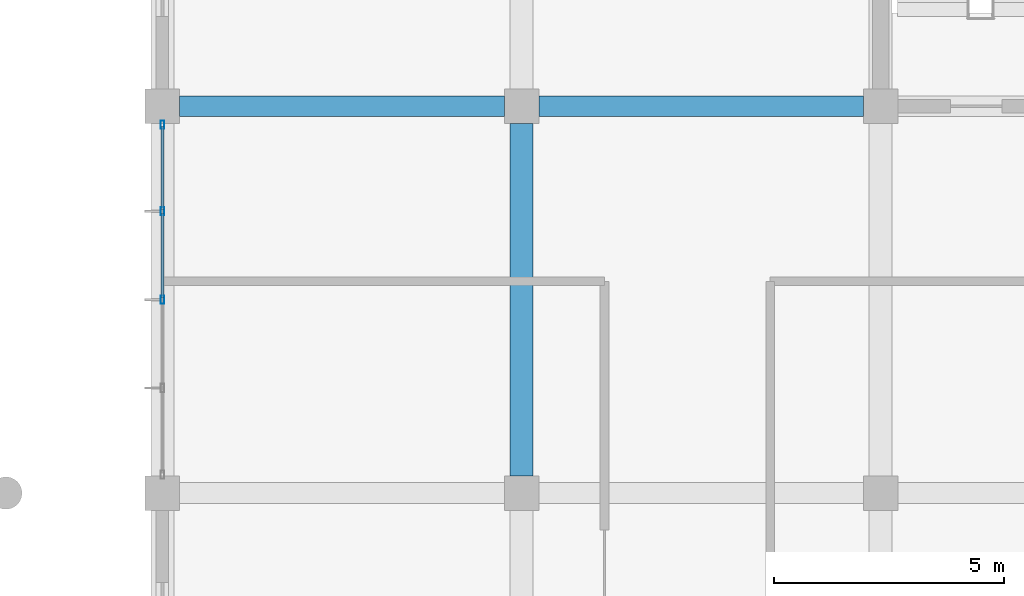
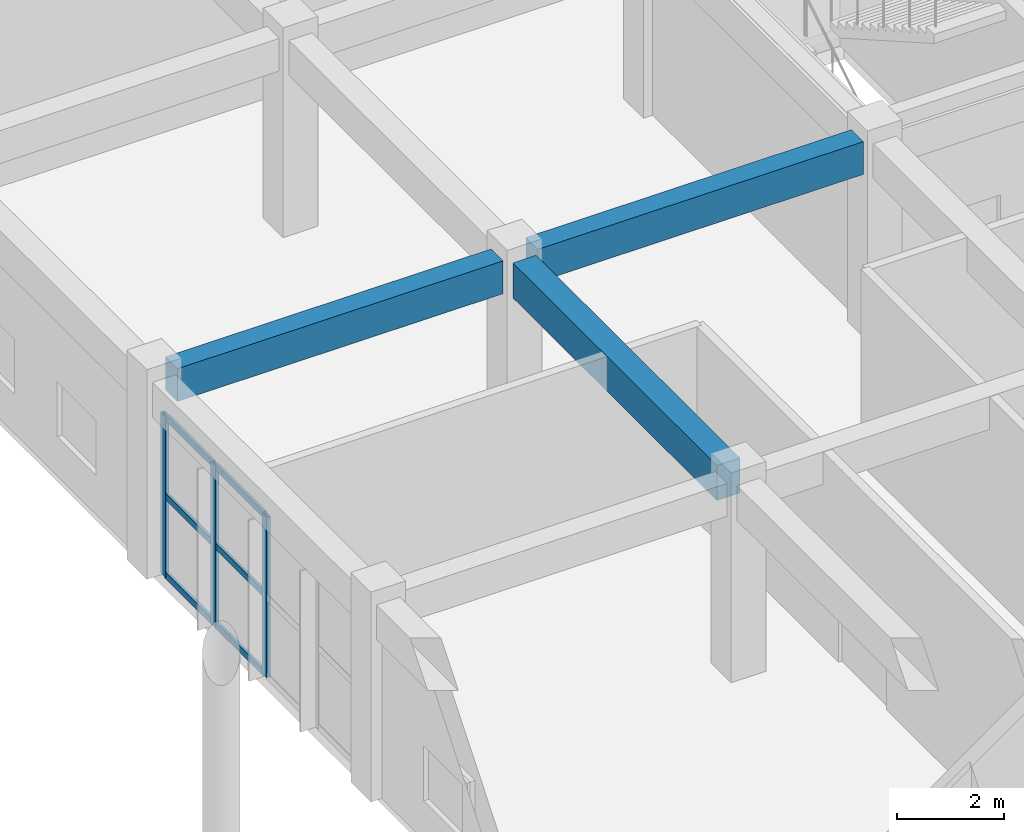
# One storey, part 67 of 175: 9 members, 3 beams, 1 element without a shape of its own.
"""IFC4 building model written with IfcOpenShell, lengths in metres."""

from ifc_helpers import new_model, si_unit, direction, frame, origin, origin_2d, place, context, subcontext, project, spatial, rectangle, hollow_rectangle, extrude, material, layer, layer_set, material_profile, profile_set, type_object, element, aggregate, save


model = new_model("IFC4")

# Units and contexts
model_context = context("Model", 3, precision=1e-05, world=origin(), true_north=direction((0.0, 1.0)))
body_context = subcontext(model_context, "Body", "Model", "MODEL_VIEW")
ifc_project = project(units=[si_unit("LENGTHUNIT", "METRE"), si_unit("AREAUNIT", "SQUARE_METRE"), si_unit("VOLUMEUNIT", "CUBIC_METRE"), si_unit("PLANEANGLEUNIT", "RADIAN"), si_unit("MASSUNIT", "GRAM", prefix="KILO")], contexts=[model_context])

# Site, building, storey
site_placement = place(None, origin())
site = spatial("IfcSite", under=ifc_project, at=site_placement, CompositionType="ELEMENT")
building_placement = place(site_placement, origin())
building = spatial("IfcBuilding", under=site, at=building_placement, Name="Zizhar Promenade General Hospital", CompositionType="ELEMENT")
storey_placement = place(building_placement, frame((0.0, 0.0, 4.800048828125)))
storey = spatial("IfcBuildingStorey", under=building, at=storey_placement, Name="L01", CompositionType="ELEMENT", Elevation=4.800048828125)

# Beams
ifc_material_1 = material(Name="Concrete C35/45", Category="concrete")
ifc_material_profile_1 = material_profile(ifc_material_1, rectangle(XDim=0.449951171875, YDim=0.75, at=origin_2d()))
ifc_profile_set_1 = profile_set([ifc_material_profile_1], Name="Concrete C35/45")
beam_type_1 = type_object("IfcBeamType", Name="BM-RC-450x750", PredefinedType="BEAM", material=ifc_profile_set_1)
beam_1_placement = place(storey_placement, frame((47.175048828125, 109.199951171875, 4.094970703125), z_axis=(1.0, 0.0, 0.0), x_axis=(0.0, 1.0, 0.0)))
element("IfcBeam", 1, at=beam_1_placement, inside=storey, type_object=beam_type_1, Name="Grid Beam X L01 (6-13)", PredefinedType="BEAM", context=body_context, shape_type="SweptSolid", body=[
    extrude(rectangle(XDim=0.449951171875, YDim=0.75, at=origin_2d()), origin(), (0.0, 0.0, 1.0), 7.050048828125),
])
beam_2_placement = place(storey_placement, frame((54.97509765625, 109.199951171875, 4.094970703125), z_axis=(1.0, 0.0, 0.0), x_axis=(0.0, 1.0, 0.0)))
element("IfcBeam", 2, at=beam_2_placement, inside=storey, type_object=beam_type_1, Name="Grid Beam X L01 (7-13)", PredefinedType="BEAM", context=body_context, shape_type="SweptSolid", body=[
    extrude(rectangle(XDim=0.449951171875, YDim=0.75, at=origin_2d()), origin(), (0.0, 0.0, 1.0), 7.0498046875),
])
ifc_material_2 = material(Name="Concrete C35/45", Category="concrete")
ifc_material_profile_2 = material_profile(ifc_material_2, rectangle(XDim=0.5, YDim=0.800048828125, at=origin_2d()))
ifc_profile_set_2 = profile_set([ifc_material_profile_2], Name="Concrete C35/45")
beam_type_2 = type_object("IfcBeamType", Name="BM-RC-500x800", PredefinedType="BEAM", material=ifc_profile_set_2)
beam_3_placement = place(storey_placement, frame((54.60009765625, 101.175048828125, 4.070068359375), z_axis=(0.0, 1.0, 0.0), x_axis=(-1.0, 0.0, 0.0)))
element("IfcBeam", 3, at=beam_3_placement, inside=storey, type_object=beam_type_2, Name="Grid Beam Y L01 (7-12)", PredefinedType="BEAM", context=body_context, shape_type="SweptSolid", body=[
    extrude(rectangle(XDim=0.5, YDim=0.800048828125, at=origin_2d()), origin(), (0.0, 0.0, 1.0), 7.64990234375),
])

# Curtain wall, members
ifc_material_3 = material(Name="Anodised aluminium 6063-T6 and low-E glass", Category="aluminium")
ifc_layer = layer(ifc_material_3, 0.159912109375)
ifc_layer_set = layer_set([ifc_layer], Name="Anodised aluminium 6063-T6 and low-E glass")
curtain_wall_type = type_object("IfcCurtainWallType", Name="CW-DT-MOD1", PredefinedType="NOTDEFINED", material=ifc_layer_set)
curtain_wall_placement = place(storey_placement, origin())
curtain_wall = element("IfcCurtainWall", 4, at=curtain_wall_placement, inside=storey, type_object=curtain_wall_type, Name="Surgical West Glazed Curtain Wall L01-12", PredefinedType="NOTDEFINED")
ifc_material_4 = material(Name="Anodised aluminium 6063-T6", Category="aluminium")
ifc_material_profile_3 = material_profile(ifc_material_4, hollow_rectangle(XDim=0.080078125, YDim=0.179931640625, WallThickness=0.0048828125, at=origin_2d()))
ifc_profile_set_3 = profile_set([ifc_material_profile_3], Name="Anodised aluminium 6063-T6")
member_type_1 = type_object("IfcMemberType", Name="CWM-ALU-180x80", PredefinedType="MULLION", material=ifc_profile_set_3)
member_1_placement = place(storey_placement, frame((46.800048828125, 105.0, 0.0), z_axis=(0.0, 0.0, 1.0), x_axis=(-1.0, 0.0, 0.0)))
member_1 = element("IfcMember", 5, at=member_1_placement, type_object=member_type_1, Name="CW-07 mullion 3", PredefinedType="MULLION", context=body_context, shape_type="SweptSolid", body=[
    extrude(hollow_rectangle(XDim=0.080078125, YDim=0.179931640625, WallThickness=0.0048828125, at=origin_2d()), origin(), (0.0, 0.0, 1.0), 3.679931640625),
])
member_2_placement = place(storey_placement, frame((46.800048828125, 106.919921875, 0.0), z_axis=(0.0, 0.0, 1.0), x_axis=(-1.0, 0.0, 0.0)))
member_2 = element("IfcMember", 6, at=member_2_placement, type_object=member_type_1, Name="CW-07 mullion 4", PredefinedType="MULLION", context=body_context, shape_type="SweptSolid", body=[
    extrude(hollow_rectangle(XDim=0.080078125, YDim=0.179931640625, WallThickness=0.0048828125, at=origin_2d()), origin(), (0.0, 0.0, 1.0), 3.679931640625),
])
member_3_placement = place(storey_placement, frame((46.800048828125, 108.800048828125, 0.0), z_axis=(0.0, 0.0, 1.0), x_axis=(-1.0, 0.0, 0.0)))
member_3 = element("IfcMember", 7, at=member_3_placement, type_object=member_type_1, Name="CW-07 mullion 5", PredefinedType="MULLION", context=body_context, shape_type="SweptSolid", body=[
    extrude(hollow_rectangle(XDim=0.080078125, YDim=0.179931640625, WallThickness=0.0048828125, at=origin_2d()), origin(), (0.0, 0.0, 1.0), 3.679931640625),
])
ifc_material_5 = material(Name="Anodised aluminium 6063-T6", Category="aluminium")
ifc_material_profile_4 = material_profile(ifc_material_5, hollow_rectangle(XDim=0.06005859375, YDim=0.14990234375, WallThickness=0.00390625, at=origin_2d()))
ifc_profile_set_4 = profile_set([ifc_material_profile_4], Name="Anodised aluminium 6063-T6")
member_type_2 = type_object("IfcMemberType", Name="CWT-ALU-150x60", PredefinedType="USERDEFINED", material=ifc_profile_set_4)
member_4_placement = place(storey_placement, frame((46.800048828125, 105.0400390625, 0.030029296875), z_axis=(0.0, 1.0, 0.0), x_axis=(-1.0, 0.0, 0.0)))
member_4 = element("IfcMember", 8, at=member_4_placement, type_object=member_type_2, Name="CW-07 transom 3.1", ObjectType="TRANSOM", PredefinedType="USERDEFINED", context=body_context, shape_type="SweptSolid", body=[
    extrude(hollow_rectangle(XDim=0.06005859375, YDim=0.14990234375, WallThickness=0.00390625, at=origin_2d()), origin(), (0.0, 0.0, 1.0), 1.83984375),
])
member_5_placement = place(storey_placement, frame((46.800048828125, 105.0400390625, 1.83984375), z_axis=(0.0, 1.0, 0.0), x_axis=(-1.0, 0.0, 0.0)))
member_5 = element("IfcMember", 9, at=member_5_placement, type_object=member_type_2, Name="CW-07 transom 3.2", ObjectType="TRANSOM", PredefinedType="USERDEFINED", context=body_context, shape_type="SweptSolid", body=[
    extrude(hollow_rectangle(XDim=0.06005859375, YDim=0.14990234375, WallThickness=0.00390625, at=origin_2d()), origin(), (0.0, 0.0, 1.0), 1.83984375),
])
member_6_placement = place(storey_placement, frame((46.800048828125, 105.0400390625, 3.64990234375), z_axis=(0.0, 1.0, 0.0), x_axis=(-1.0, 0.0, 0.0)))
member_6 = element("IfcMember", 10, at=member_6_placement, type_object=member_type_2, Name="CW-07 transom 3.3", ObjectType="TRANSOM", PredefinedType="USERDEFINED", context=body_context, shape_type="SweptSolid", body=[
    extrude(hollow_rectangle(XDim=0.06005859375, YDim=0.14990234375, WallThickness=0.00390625, at=origin_2d()), origin(), (0.0, 0.0, 1.0), 1.83984375),
])
member_7_placement = place(storey_placement, frame((46.800048828125, 106.9599609375, 0.030029296875), z_axis=(0.0, 1.0, 0.0), x_axis=(-1.0, 0.0, 0.0)))
member_7 = element("IfcMember", 11, at=member_7_placement, type_object=member_type_2, Name="CW-07 transom 4.1", ObjectType="TRANSOM", PredefinedType="USERDEFINED", context=body_context, shape_type="SweptSolid", body=[
    extrude(hollow_rectangle(XDim=0.06005859375, YDim=0.14990234375, WallThickness=0.00390625, at=origin_2d()), origin(), (0.0, 0.0, 1.0), 1.800048828125),
])
member_8_placement = place(storey_placement, frame((46.800048828125, 106.9599609375, 1.83984375), z_axis=(0.0, 1.0, 0.0), x_axis=(-1.0, 0.0, 0.0)))
member_8 = element("IfcMember", 12, at=member_8_placement, type_object=member_type_2, Name="CW-07 transom 4.2", ObjectType="TRANSOM", PredefinedType="USERDEFINED", context=body_context, shape_type="SweptSolid", body=[
    extrude(hollow_rectangle(XDim=0.06005859375, YDim=0.14990234375, WallThickness=0.00390625, at=origin_2d()), origin(), (0.0, 0.0, 1.0), 1.800048828125),
])
member_9_placement = place(storey_placement, frame((46.800048828125, 106.9599609375, 3.64990234375), z_axis=(0.0, 1.0, 0.0), x_axis=(-1.0, 0.0, 0.0)))
member_9 = element("IfcMember", 13, at=member_9_placement, type_object=member_type_2, Name="CW-07 transom 4.3", ObjectType="TRANSOM", PredefinedType="USERDEFINED", context=body_context, shape_type="SweptSolid", body=[
    extrude(hollow_rectangle(XDim=0.06005859375, YDim=0.14990234375, WallThickness=0.00390625, at=origin_2d()), origin(), (0.0, 0.0, 1.0), 1.800048828125),
])
aggregate(curtain_wall, [member_1, member_2, member_3, member_4, member_5, member_6, member_7, member_8, member_9])

save(model, "model.ifc")
